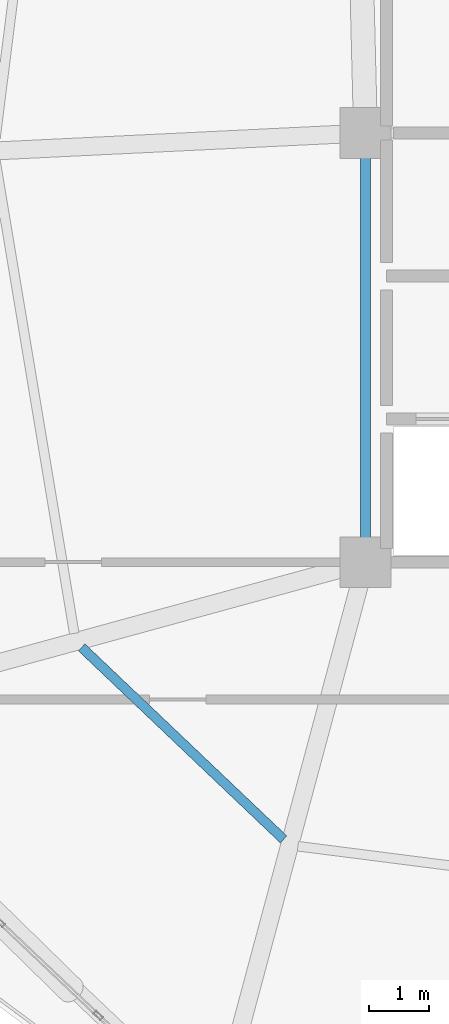
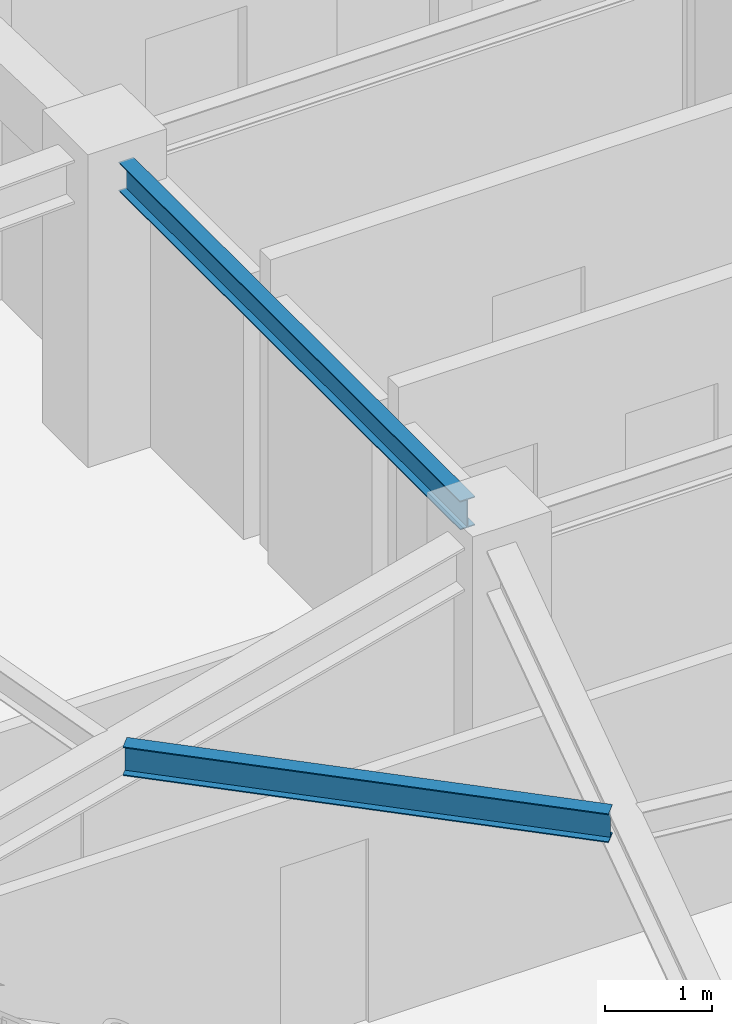
# One storey, part 6 of 28: 2 beams.
"""IFC4 building model written with IfcOpenShell, lengths in metres."""

from ifc_helpers import new_model, si_unit, direction, frame, origin, origin_2d, place, context, subcontext, project, spatial, i_section, extrude, material, material_profile, profile_set, type_object, element, save


model = new_model("IFC4")

# Units and contexts
model_context = context("Model", 3, precision=1e-05, world=origin(), true_north=direction((0.0, 1.0)))
body_context = subcontext(model_context, "Body", "Model", "MODEL_VIEW")
ifc_project = project(units=[si_unit("LENGTHUNIT", "METRE"), si_unit("AREAUNIT", "SQUARE_METRE"), si_unit("VOLUMEUNIT", "CUBIC_METRE"), si_unit("PLANEANGLEUNIT", "RADIAN"), si_unit("MASSUNIT", "GRAM", prefix="KILO")], contexts=[model_context])

# Site, building, storey
site_placement = place(None, origin())
site = spatial("IfcSite", under=ifc_project, at=site_placement, CompositionType="ELEMENT")
building_placement = place(site_placement, origin())
building = spatial("IfcBuilding", under=site, at=building_placement, Name="Varnakorn Sky Granary", CompositionType="ELEMENT")
storey_placement = place(building_placement, frame((0.0, 0.0, 186.0)))
storey = spatial("IfcBuildingStorey", under=building, at=storey_placement, Name="L46", CompositionType="ELEMENT", Elevation=186.0)

# Beams
ifc_material = material(Name="Steel S355JR", Category="steel")
ifc_material_profile = material_profile(ifc_material, i_section(OverallWidth=0.159912109375, OverallDepth=0.330078125, WebThickness=0.007568359375, FlangeThickness=0.011474609375, at=origin_2d()), Name="IPE 330")
ifc_profile_set = profile_set([ifc_material_profile], Name="Steel S355JR")
beam_type = type_object("IfcBeamType", Name="BM-SEC-Z4", PredefinedType="BEAM", material=ifc_profile_set)
beam_1_placement = place(storey_placement, frame((-7.111328125, -8.0283203125, 3.195068359375), z_axis=(0.724694195201, -0.689070622971, 0.0), x_axis=(0.689070622971, 0.724694195201, 0.0)))
element("IfcBeam", 1, at=beam_1_placement, inside=storey, type_object=beam_type, Name="Secondary Floor Chord Beam MSB08 L46", PredefinedType="BEAM", context=body_context, shape_type="SweptSolid", body=[
    extrude(i_section(OverallWidth=0.159912109375, OverallDepth=0.330078125, WebThickness=0.007568359375, FlangeThickness=0.011474609375, at=origin_2d()), origin(), (0.0, 0.0, 1.0), 4.674072265625),
])
beam_2_placement = place(storey_placement, frame((-2.35009765625, 0.195068359375, 3.195068359375), z_axis=(0.0, -1.0, 0.0), x_axis=(1.0, 0.0, 0.0)))
element("IfcBeam", 2, at=beam_2_placement, inside=storey, type_object=beam_type, Name="Core Spine Framing Beam 3 L46", PredefinedType="BEAM", context=body_context, shape_type="SweptSolid", body=[
    extrude(i_section(OverallWidth=0.159912109375, OverallDepth=0.330078125, WebThickness=0.007568359375, FlangeThickness=0.011474609375, at=origin_2d()), origin(), (0.0, 0.0, 1.0), 6.39013671875),
])

save(model, "model.ifc")
